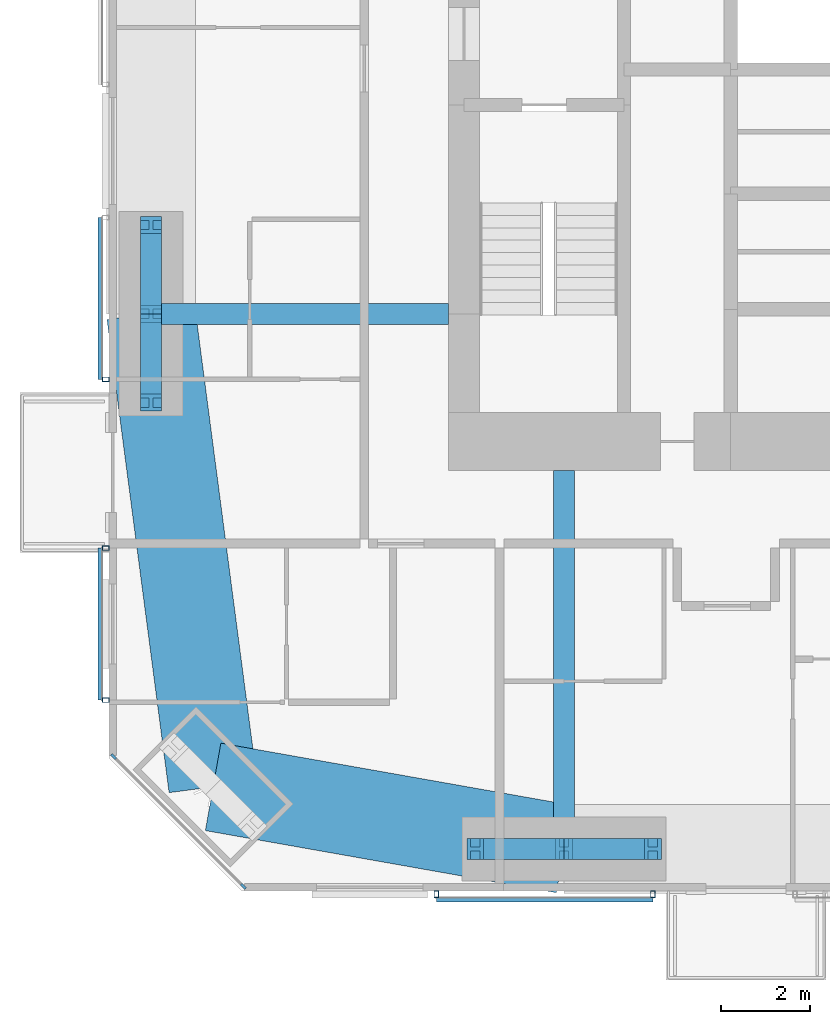
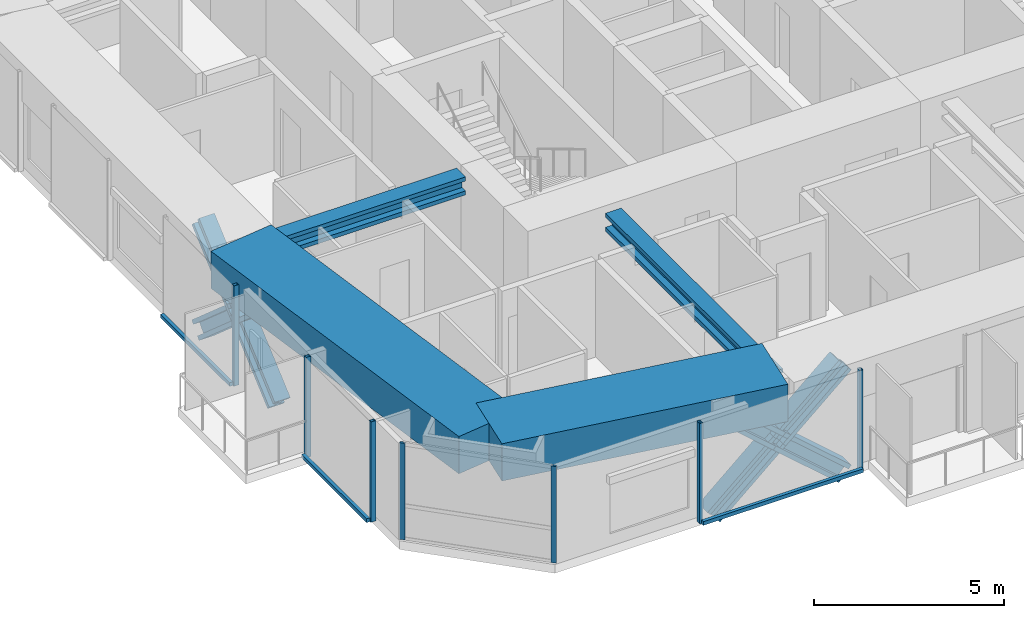
# One storey, part 2 of 22: 18 members, 4 beams, 4 elements without a shape of their own.
"""IFC4 building model written with IfcOpenShell, lengths in metres."""

from ifc_helpers import new_model, si_unit, direction, frame, origin, origin_2d, place, context, subcontext, project, spatial, rectangle, hollow_rectangle, i_section, extrude, material, material_profile, profile_set, type_object, element, aggregate, save


model = new_model("IFC4")

# Units and contexts
model_context = context("Model", 3, precision=1e-05, world=origin(), true_north=direction((0.0, 1.0)))
body_context = subcontext(model_context, "Body", "Model", "MODEL_VIEW")
ifc_project = project(units=[si_unit("LENGTHUNIT", "METRE"), si_unit("AREAUNIT", "SQUARE_METRE"), si_unit("VOLUMEUNIT", "CUBIC_METRE"), si_unit("PLANEANGLEUNIT", "RADIAN"), si_unit("MASSUNIT", "GRAM", prefix="KILO")], contexts=[model_context])

# Site, building, storey
site_placement = place(None, origin())
site = spatial("IfcSite", under=ifc_project, at=site_placement, CompositionType="ELEMENT")
building_placement = place(site_placement, origin())
building = spatial("IfcBuilding", under=site, at=building_placement, Name="Jalousie Tower", CompositionType="ELEMENT")
storey_placement = place(building_placement, frame((0.0, 0.0, 154.35009765625)))
storey = spatial("IfcBuildingStorey", under=building, at=storey_placement, Name="L41", CompositionType="ELEMENT", Elevation=154.35009765625)

# Curtain wall, members
ifc_material_1 = material(Name="Aluminium curtain wall", Category="aluminium")
curtain_wall_type_1 = type_object("IfcCurtainWallType", Name="CORNER WINDOW WALL", PredefinedType="USERDEFINED", material=ifc_material_1)
curtain_wall_1_placement = place(storey_placement, origin())
curtain_wall_1 = element("IfcCurtainWall", 1, at=curtain_wall_1_placement, inside=storey, type_object=curtain_wall_type_1, Name="Corner Window Wall L41 8", ObjectType="CORNER WINDOW WALL", PredefinedType="USERDEFINED")
ifc_material_2 = material(Name="Aluminium mullion", Category="aluminium")
ifc_material_profile_1 = material_profile(ifc_material_2, rectangle(XDim=0.06005859375, YDim=0.14990234375, at=origin_2d()), Name="MULLION 60x150")
ifc_profile_set_1 = profile_set([ifc_material_profile_1], Name="Aluminium mullion")
member_type_1 = type_object("IfcMemberType", Name="CORNER WINDOW WALL MULLION", PredefinedType="MULLION", material=ifc_profile_set_1)
member_1_placement = place(storey_placement, frame((12.108642578125, 3.030029296875, 0.0), z_axis=(0.0, 0.0, 1.0), x_axis=(0.707106781187, 0.707106781187, 0.0)))
member_1 = element("IfcMember", 2, at=member_1_placement, type_object=member_type_1, Name="CW-C mullion 1", PredefinedType="MULLION", context=body_context, shape_type="SweptSolid", body=[
    extrude(rectangle(XDim=0.06005859375, YDim=0.14990234375, at=origin_2d()), origin(), (0.0, 0.0, 1.0), 3.10986328125),
])
member_2_placement = place(storey_placement, frame((15.030029296875, 0.108642578125, 0.0), z_axis=(0.0, 0.0, 1.0), x_axis=(0.707106781187, 0.707106781187, 0.0)))
member_2 = element("IfcMember", 3, at=member_2_placement, type_object=member_type_1, Name="CW-C mullion 2", PredefinedType="MULLION", context=body_context, shape_type="SweptSolid", body=[
    extrude(rectangle(XDim=0.06005859375, YDim=0.14990234375, at=origin_2d()), origin(), (0.0, 0.0, 1.0), 3.10986328125),
])
aggregate(curtain_wall_1, [member_1, member_2])

# Beams
ifc_material_3 = material(Name="Steel ASTM A992 Grade 50", Category="steel")
ifc_material_profile_2 = material_profile(ifc_material_3, i_section(OverallWidth=0.472412109375, OverallDepth=0.5791015625, WebThickness=0.094970703125, FlangeThickness=0.1298828125, at=origin_2d()), Name="W14X808")
ifc_profile_set_2 = profile_set([ifc_material_profile_2], Name="Steel ASTM A992 Grade 50")
beam_type_1 = type_object("IfcBeamType", Name="LEAN COLLECTOR W14X808", PredefinedType="BEAM", material=ifc_profile_set_2)
beam_1_placement = place(storey_placement, frame((12.949951171875, 13.0, 2.8203125), z_axis=(1.0, 0.0, 0.0), x_axis=(0.0, 1.0, 0.0)))
element("IfcBeam", 4, at=beam_1_placement, inside=storey, type_object=beam_type_1, Name="Lean collector under L42", PredefinedType="BEAM", context=body_context, shape_type="SweptSolid", body=[
    extrude(i_section(OverallWidth=0.472412109375, OverallDepth=0.5791015625, WebThickness=0.094970703125, FlangeThickness=0.1298828125, at=origin_2d()), origin(), (0.0, 0.0, 1.0), 6.699951171875),
])
beam_2_placement = place(storey_placement, frame((22.25, 0.949951171875, 2.8203125), z_axis=(0.0, 1.0, 0.0), x_axis=(-1.0, 0.0, 0.0)))
element("IfcBeam", 5, at=beam_2_placement, inside=storey, type_object=beam_type_1, Name="Lean collector under L42", PredefinedType="BEAM", context=body_context, shape_type="SweptSolid", body=[
    extrude(i_section(OverallWidth=0.472412109375, OverallDepth=0.5791015625, WebThickness=0.094970703125, FlangeThickness=0.1298828125, at=origin_2d()), origin(), (0.0, 0.0, 1.0), 8.525146484375),
])

# Members
ifc_material_4 = material(Name="Steel ASTM A992 Grade 50", Category="steel")
ifc_material_profile_3 = material_profile(ifc_material_4, i_section(OverallWidth=0.472412109375, OverallDepth=0.5791015625, WebThickness=0.094970703125, FlangeThickness=0.1298828125, at=origin_2d()), Name="W14X808")
ifc_profile_set_3 = profile_set([ifc_material_profile_3], Name="Steel ASTM A992 Grade 50")
member_type_2 = type_object("IfcMemberType", Name="PERIMETER BRACE W14X808", PredefinedType="BRACE", material=ifc_profile_set_3)
for number, where, z_axis, x_axis, name in (
    (6, (20.25, 0.949951171875, -0.75), (0.752576694707, 0.0, 0.658504607869), (0.0, 1.0, 0.0), "Perimeter brace 02 L41 part 1"),
    (7, (22.25, 0.949951171875, 1.0), (0.752576694707, 0.0, 0.658504607869), (0.0, 1.0, 0.0), "Perimeter brace 02 L41 part 2"),
    (8, (24.25, 0.949951171875, -0.75), (-0.752576694707, 0.0, 0.658504607869), (0.0, -1.0, 0.0), "Perimeter brace 02 L41 part 3"),
    (9, (22.25, 0.949951171875, 1.0), (-0.752576694707, 0.0, 0.658504607869), (0.0, -1.0, 0.0), "Perimeter brace 02 L41 part 4"),
    (10, (12.949951171875, 11.0, -0.75), (0.0, 0.752576694707, 0.658504607869), (-1.0, 0.0, 0.0), "Perimeter brace 14 L41 part 1"),
    (11, (12.949951171875, 13.0, 1.0), (0.0, 0.752576694707, 0.658504607869), (-1.0, 0.0, 0.0), "Perimeter brace 14 L41 part 2"),
    (12, (12.949951171875, 15.0, -0.75), (0.0, -0.752576694707, 0.658504607869), (1.0, 0.0, 0.0), "Perimeter brace 14 L41 part 3"),
    (13, (12.949951171875, 13.0, 1.0), (0.0, -0.752576694707, 0.658504607869), (1.0, 0.0, 0.0), "Perimeter brace 14 L41 part 4"),
):
    element("IfcMember", number, at=place(storey_placement, frame(where, z_axis=z_axis, x_axis=x_axis)), inside=storey, type_object=member_type_2, Name=name, PredefinedType="BRACE", context=body_context, shape_type="SweptSolid", body=[
        extrude(i_section(OverallWidth=0.472412109375, OverallDepth=0.5791015625, WebThickness=0.094970703125, FlangeThickness=0.1298828125, at=origin_2d()), origin(), (0.0, 0.0, 1.0), 2.657470703125),
    ])

# Beams
ifc_material_5 = material(Name="Concrete f'c 40 MPa", Category="concrete")
ifc_material_profile_4 = material_profile(ifc_material_5, rectangle(XDim=2.0, YDim=1.199951171875, at=origin_2d()), Name="RC 2000x1200")
ifc_profile_set_4 = profile_set([ifc_material_profile_4], Name="Concrete f'c 40 MPa")
beam_type_2 = type_object("IfcBeamType", Name="RC BEAM 2000x1200", PredefinedType="BEAM", material=ifc_profile_set_4)
beam_3_placement = place(storey_placement, frame((14.348388671875, 2.348388671875, 2.75), z_axis=(0.984697370688, -0.174273027632, 0.0), x_axis=(0.174273027632, 0.984697370688, 0.0)))
element("IfcBeam", 14, at=beam_3_placement, inside=storey, type_object=beam_type_2, Name="Edge band beam 01-02 under L42", PredefinedType="BEAM", context=body_context, shape_type="SweptSolid", body=[
    extrude(rectangle(XDim=2.0, YDim=1.199951171875, at=origin_2d()), origin(), (0.0, 0.0, 1.0), 8.0244140625),
])
beam_4_placement = place(storey_placement, frame((12.949951171875, 13.0, 2.75), z_axis=(0.130171745558, -0.991491460709, 0.0), x_axis=(0.991491460709, 0.130171745558, 0.0)))
element("IfcBeam", 15, at=beam_4_placement, inside=storey, type_object=beam_type_2, Name="Edge band beam 14-01 under L42", PredefinedType="BEAM", context=body_context, shape_type="SweptSolid", body=[
    extrude(rectangle(XDim=2.0, YDim=1.199951171875, at=origin_2d()), origin(), (0.0, 0.0, 1.0), 10.742919921875),
])

# Curtain wall, members
ifc_material_6 = material(Name="Perforated aluminium sheet", Category="aluminium")
curtain_wall_type_2 = type_object("IfcCurtainWallType", Name="SOLAR SCREEN SS-1", PredefinedType="USERDEFINED", material=ifc_material_6)
curtain_wall_2_placement = place(storey_placement, origin())
curtain_wall_2 = element("IfcCurtainWall", 16, at=curtain_wall_2_placement, inside=storey, type_object=curtain_wall_type_2, Name="Solar screen L41", ObjectType="SOLAR SCREEN SS-1", PredefinedType="USERDEFINED")
ifc_material_7 = material(Name="Steel ASTM A500 Grade C", Category="steel")
ifc_material_profile_5 = material_profile(ifc_material_7, hollow_rectangle(XDim=0.1015625, YDim=0.15234375, WallThickness=0.00634765625, at=origin_2d()), Name="HSS6X4X1/4")
ifc_profile_set_5 = profile_set([ifc_material_profile_5], Name="Steel ASTM A500 Grade C")
member_type_3 = type_object("IfcMemberType", Name="SOLAR SCREEN SS-1 MULLION", PredefinedType="MULLION", material=ifc_profile_set_5)
member_3_placement = place(storey_placement, frame((19.375732421875, -0.0712890625, -0.1201171875), z_axis=(0.0, 0.0, 1.0), x_axis=(1.0, 0.0, 0.0)))
member_3 = element("IfcMember", 17, at=member_3_placement, type_object=member_type_3, Name="SS1 post 1", PredefinedType="MULLION", context=body_context, shape_type="SweptSolid", body=[
    extrude(hollow_rectangle(XDim=0.1015625, YDim=0.15234375, WallThickness=0.00634765625, at=origin_2d()), origin(), (0.0, 0.0, 1.0), 3.22998046875),
])
member_4_placement = place(storey_placement, frame((24.25, -0.0712890625, -0.1201171875), z_axis=(0.0, 0.0, 1.0), x_axis=(1.0, 0.0, 0.0)))
member_4 = element("IfcMember", 18, at=member_4_placement, type_object=member_type_3, Name="SS1 post 2", PredefinedType="MULLION", context=body_context, shape_type="SweptSolid", body=[
    extrude(hollow_rectangle(XDim=0.1015625, YDim=0.15234375, WallThickness=0.00634765625, at=origin_2d()), origin(), (0.0, 0.0, 1.0), 3.22998046875),
])

# Curtain wall, member
curtain_wall_3_placement = place(storey_placement, origin())
curtain_wall_3 = element("IfcCurtainWall", 19, at=curtain_wall_3_placement, inside=storey, type_object=curtain_wall_type_2, Name="Solar screen L41", ObjectType="SOLAR SCREEN SS-1", PredefinedType="USERDEFINED")
member_5_placement = place(storey_placement, frame((11.9287109375, 11.52490234375, -0.1201171875), z_axis=(0.0, 0.0, 1.0), x_axis=(0.0, -1.0, 0.0)))
member_5 = element("IfcMember", 20, at=member_5_placement, type_object=member_type_3, Name="SS1 post 2", PredefinedType="MULLION", context=body_context, shape_type="SweptSolid", body=[
    extrude(hollow_rectangle(XDim=0.1015625, YDim=0.15234375, WallThickness=0.00634765625, at=origin_2d()), origin(), (0.0, 0.0, 1.0), 3.22998046875),
])

# Curtain wall, members
curtain_wall_4_placement = place(storey_placement, origin())
curtain_wall_4 = element("IfcCurtainWall", 21, at=curtain_wall_4_placement, inside=storey, type_object=curtain_wall_type_2, Name="Solar screen L41", ObjectType="SOLAR SCREEN SS-1", PredefinedType="USERDEFINED")
member_6_placement = place(storey_placement, frame((11.9287109375, 7.72509765625, -0.1201171875), z_axis=(0.0, 0.0, 1.0), x_axis=(0.0, -1.0, 0.0)))
member_6 = element("IfcMember", 22, at=member_6_placement, type_object=member_type_3, Name="SS1 post 1", PredefinedType="MULLION", context=body_context, shape_type="SweptSolid", body=[
    extrude(hollow_rectangle(XDim=0.1015625, YDim=0.15234375, WallThickness=0.00634765625, at=origin_2d()), origin(), (0.0, 0.0, 1.0), 3.22998046875),
])
member_7_placement = place(storey_placement, frame((11.9287109375, 4.301513671875, -0.1201171875), z_axis=(0.0, 0.0, 1.0), x_axis=(0.0, -1.0, 0.0)))
member_7 = element("IfcMember", 23, at=member_7_placement, type_object=member_type_3, Name="SS1 post 2", PredefinedType="MULLION", context=body_context, shape_type="SweptSolid", body=[
    extrude(hollow_rectangle(XDim=0.1015625, YDim=0.15234375, WallThickness=0.00634765625, at=origin_2d()), origin(), (0.0, 0.0, 1.0), 3.22998046875),
])

# Member
ifc_material_8 = material(Name="Extruded aluminium screen rail", Category="aluminium")
ifc_material_profile_6 = material_profile(ifc_material_8, rectangle(XDim=0.1015625, YDim=0.1201171875, at=origin_2d()), Name="RAIL 102x120")
ifc_profile_set_6 = profile_set([ifc_material_profile_6], Name="Extruded aluminium screen rail")
member_type_4 = type_object("IfcMemberType", Name="SOLAR SCREEN SS-1 TRANSOM", PredefinedType="USERDEFINED", material=ifc_profile_set_6)
member_8_placement = place(storey_placement, frame((19.375732421875, -0.1982421875, -0.06005859375), z_axis=(1.0, 0.0, 0.0), x_axis=(0.0, 1.0, 0.0)))
member_8 = element("IfcMember", 24, at=member_8_placement, type_object=member_type_4, Name="SS1 rail", ObjectType="TRANSOM", PredefinedType="USERDEFINED", context=body_context, shape_type="SweptSolid", body=[
    extrude(rectangle(XDim=0.1015625, YDim=0.1201171875, at=origin_2d()), origin(), (0.0, 0.0, 1.0), 4.874267578125),
])

aggregate(curtain_wall_2, [member_3, member_4, member_8])

member_9_placement = place(storey_placement, frame((11.8017578125, 15.166015625, -0.06005859375), z_axis=(0.0, -1.0, 0.0), x_axis=(1.0, 0.0, 0.0)))
member_9 = element("IfcMember", 25, at=member_9_placement, type_object=member_type_4, Name="SS1 rail", ObjectType="TRANSOM", PredefinedType="USERDEFINED", context=body_context, shape_type="SweptSolid", body=[
    extrude(rectangle(XDim=0.1015625, YDim=0.1201171875, at=origin_2d()), origin(), (0.0, 0.0, 1.0), 3.64111328125),
])

aggregate(curtain_wall_3, [member_5, member_9])

member_10_placement = place(storey_placement, frame((11.8017578125, 7.72509765625, -0.06005859375), z_axis=(0.0, -1.0, 0.0), x_axis=(1.0, 0.0, 0.0)))
member_10 = element("IfcMember", 26, at=member_10_placement, type_object=member_type_4, Name="SS1 rail", ObjectType="TRANSOM", PredefinedType="USERDEFINED", context=body_context, shape_type="SweptSolid", body=[
    extrude(rectangle(XDim=0.1015625, YDim=0.1201171875, at=origin_2d()), origin(), (0.0, 0.0, 1.0), 3.423583984375),
])

aggregate(curtain_wall_4, [member_6, member_7, member_10])

save(model, "model.ifc")
